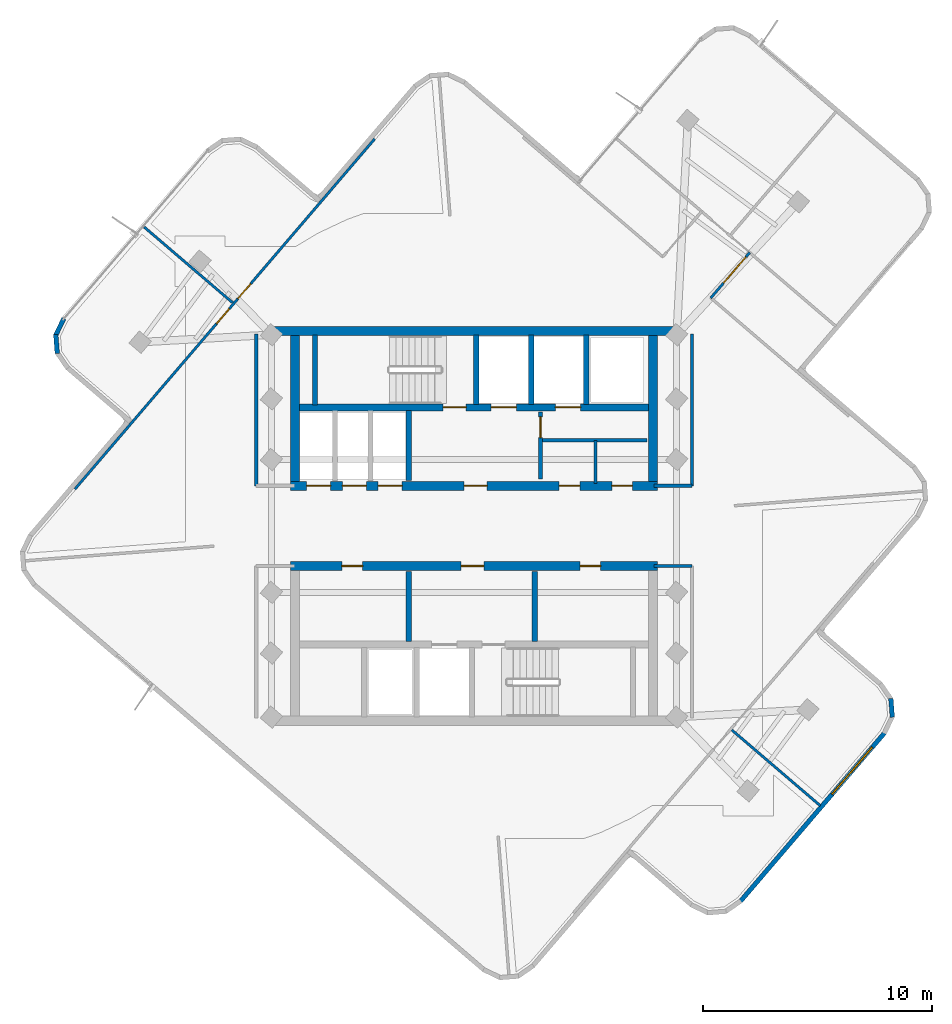
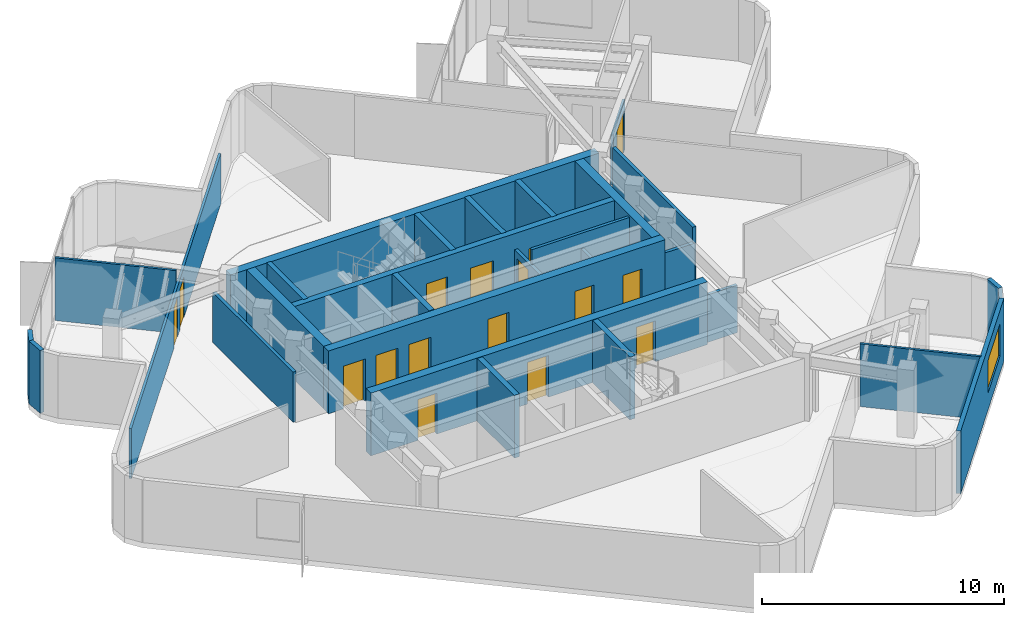
# One storey, part 6 of 10: 28 walls, 16 doors, 1 window, 17 openings.
"""IFC4 building model written with IfcOpenShell, lengths in metres."""

from ifc_helpers import new_model, si_unit, direction, frame, frame_2d, origin, place, context, subcontext, project, spatial, rectangle, extrude, material, layer, layer_set, type_object, element, fill, save


model = new_model("IFC4")

# Units and contexts
model_context = context("Model", 3, precision=1e-05, world=origin(), true_north=direction((0.0, 1.0)))
body_context = subcontext(model_context, "Body", "Model", "MODEL_VIEW")
ifc_project = project(units=[si_unit("LENGTHUNIT", "METRE"), si_unit("AREAUNIT", "SQUARE_METRE"), si_unit("VOLUMEUNIT", "CUBIC_METRE"), si_unit("PLANEANGLEUNIT", "RADIAN"), si_unit("MASSUNIT", "GRAM", prefix="KILO")], contexts=[model_context])

# Site, building, storey
site_placement = place(None, origin())
site = spatial("IfcSite", under=ifc_project, at=site_placement, CompositionType="ELEMENT")
building_placement = place(site_placement, origin())
building = spatial("IfcBuilding", under=site, at=building_placement, Name="Solmarez Civic Tower", CompositionType="ELEMENT")
storey_placement = place(building_placement, frame((0.0, 0.0, 254.340087890625)))
storey = spatial("IfcBuildingStorey", under=building, at=storey_placement, Name="L68", CompositionType="ELEMENT", Elevation=254.340087890625)

# Wall
ifc_material_1 = material(Name="Concrete C50/60", Category="concrete")
ifc_layer_1 = layer(ifc_material_1, 0.39990234375)
ifc_layer_set_1 = layer_set([ifc_layer_1], Name="Concrete C50/60")
wall_type_1 = type_object("IfcWallType", Name="WALL-CORE-400", PredefinedType="SHEAR", material=ifc_layer_set_1)
wall_1_placement = place(storey_placement, frame((-8.780029296875, 8.510009765625, 0.0), z_axis=(0.0, 0.0, 1.0), x_axis=(1.0, 0.0, 0.0)))
element("IfcWall", 1, at=wall_1_placement, inside=storey, type_object=wall_type_1, Name="L68 Split-Core Structural Wall NCW-N-L68", PredefinedType="SHEAR", context=body_context, shape_type="SweptSolid", body=[
    extrude(rectangle(XDim=17.56005859375, YDim=0.39990234375, at=frame_2d((8.780029296875, 0.0))), origin(), (0.0, 0.0, 1.0), 3.159912109375),
])

# Wall, openings, doors
wall_2_placement = place(storey_placement, frame((8.02001953125, 1.75, 0.0), z_axis=(0.0, 0.0, 1.0), x_axis=(-1.0, 0.0, 0.0)))
wall_2 = element("IfcWall", 2, at=wall_2_placement, inside=storey, type_object=wall_type_1, Name="L68 Split-Core Structural Wall NCW-S-L68", PredefinedType="SHEAR", context=body_context, shape_type="SweptSolid", body=[
    extrude(rectangle(XDim=16.0400390625, YDim=0.39990234375, at=frame_2d((8.02001953125, 0.0))), origin(), (0.0, 0.0, 1.0), 3.159912109375),
])
opening_1_placement = place(wall_2_placement, frame((7.449951171875, 0.0, 0.0)))
opening_1 = element("IfcOpeningElement", 3, at=opening_1_placement, cuts=wall_2, Name="Opening D-04", PredefinedType="OPENING", context=body_context, shape_type="SweptSolid", body=[
    extrude(rectangle(XDim=1.0, YDim=2.10009765625, at=frame_2d((0.5, 1.050048828125))), frame((0.0, 0.2099609375, 0.0), z_axis=(0.0, -1.0, 0.0), x_axis=(1.0, 0.0, 0.0)), (0.0, 0.0, 1.0), 0.419921875),
])
opening_2_placement = place(wall_2_placement, frame((14.284912109375, 0.0, 0.0)))
opening_2 = element("IfcOpeningElement", 4, at=opening_2_placement, cuts=wall_2, Name="Opening LD-01", PredefinedType="OPENING", context=body_context, shape_type="SweptSolid", body=[
    extrude(rectangle(XDim=1.050048828125, YDim=2.14990234375, at=frame_2d((0.52490234375, 1.074951171875))), frame((0.0, 0.2099609375, 0.0), z_axis=(0.0, -1.0, 0.0), x_axis=(1.0, 0.0, 0.0)), (0.0, 0.0, 1.0), 0.419921875),
])
opening_3_placement = place(wall_2_placement, frame((12.72509765625, 0.0, 0.0)))
opening_3 = element("IfcOpeningElement", 5, at=opening_3_placement, cuts=wall_2, Name="Opening LD-01", PredefinedType="OPENING", context=body_context, shape_type="SweptSolid", body=[
    extrude(rectangle(XDim=1.050048828125, YDim=2.14990234375, at=frame_2d((0.52490234375, 1.074951171875))), frame((0.0, 0.2099609375, 0.0), z_axis=(0.0, -1.0, 0.0), x_axis=(1.0, 0.0, 0.0)), (0.0, 0.0, 1.0), 0.419921875),
])
opening_4_placement = place(wall_2_placement, frame((11.1650390625, 0.0, 0.0)))
opening_4 = element("IfcOpeningElement", 6, at=opening_4_placement, cuts=wall_2, Name="Opening LD-01", PredefinedType="OPENING", context=body_context, shape_type="SweptSolid", body=[
    extrude(rectangle(XDim=1.050048828125, YDim=2.14990234375, at=frame_2d((0.52490234375, 1.074951171875))), frame((0.0, 0.2099609375, 0.0), z_axis=(0.0, -1.0, 0.0), x_axis=(1.0, 0.0, 0.0)), (0.0, 0.0, 1.0), 0.419921875),
])
opening_5_placement = place(wall_2_placement, frame((3.39990234375, 0.0, 0.0)))
opening_5 = element("IfcOpeningElement", 7, at=opening_5_placement, cuts=wall_2, Name="Opening D-09", PredefinedType="OPENING", context=body_context, shape_type="SweptSolid", body=[
    extrude(rectangle(XDim=0.89990234375, YDim=2.06005859375, at=frame_2d((0.449951171875, 1.030029296875))), frame((0.0, 0.2099609375, 0.0), z_axis=(0.0, -1.0, 0.0), x_axis=(1.0, 0.0, 0.0)), (0.0, 0.0, 1.0), 0.419921875),
])
opening_6_placement = place(wall_2_placement, frame((1.10009765625, 0.0, 0.0)))
opening_6 = element("IfcOpeningElement", 8, at=opening_6_placement, cuts=wall_2, Name="Opening D-09", PredefinedType="OPENING", context=body_context, shape_type="SweptSolid", body=[
    extrude(rectangle(XDim=0.89990234375, YDim=2.06005859375, at=frame_2d((0.449951171875, 1.030029296875))), frame((0.0, 0.2099609375, 0.0), z_axis=(0.0, -1.0, 0.0), x_axis=(1.0, 0.0, 0.0)), (0.0, 0.0, 1.0), 0.419921875),
])
ifc_material_2 = material(Name="Steel-Faced Acoustic Fire Door", Category="steel")
door_type_1 = type_object("IfcDoorType", Name="DOOR-FD60-1000", OperationType="NOTDEFINED", PredefinedType="DOOR", material=ifc_material_2)
door_1_placement = place(opening_1_placement, origin())
door_1 = element("IfcDoor", 9, at=door_1_placement, inside=storey, type_object=door_type_1, Name="L68 North Firefighting Lobby Door", OperationType="SINGLE_SWING_LEFT", OverallHeight=2.10009765625, OverallWidth=1.0, PredefinedType="DOOR", context=body_context, shape_type="SweptSolid", body=[
    extrude(rectangle(XDim=1.0, YDim=2.10009765625, at=frame_2d((0.5, 1.050048828125))), frame((0.0, 0.02490234375, 0.0), z_axis=(0.0, -1.0, 0.0), x_axis=(1.0, 0.0, 0.0)), (0.0, 0.0, 1.0), 0.050048828125),
])
fill(opening_1, door_1)
ifc_material_3 = material(Name="Fire-Rated Service Core Door", Category="wood")
door_type_2 = type_object("IfcDoorType", Name="DOOR-FD60-900", OperationType="NOTDEFINED", PredefinedType="DOOR", material=ifc_material_3)
door_2_placement = place(opening_5_placement, origin())
door_2 = element("IfcDoor", 10, at=door_2_placement, inside=storey, type_object=door_type_2, Name="L68 Core WC Door", OperationType="SINGLE_SWING_LEFT", OverallHeight=2.06005859375, OverallWidth=0.89990234375, PredefinedType="DOOR", context=body_context, shape_type="SweptSolid", body=[
    extrude(rectangle(XDim=0.89990234375, YDim=2.06005859375, at=frame_2d((0.449951171875, 1.030029296875))), frame((0.0, 0.02490234375, 0.0), z_axis=(0.0, -1.0, 0.0), x_axis=(1.0, 0.0, 0.0)), (0.0, 0.0, 1.0), 0.050048828125),
])
fill(opening_5, door_2)
door_3_placement = place(opening_6_placement, origin())
door_3 = element("IfcDoor", 11, at=door_3_placement, inside=storey, type_object=door_type_2, Name="L68 Core CL Door", OperationType="SINGLE_SWING_RIGHT", OverallHeight=2.06005859375, OverallWidth=0.89990234375, PredefinedType="DOOR", context=body_context, shape_type="SweptSolid", body=[
    extrude(rectangle(XDim=0.89990234375, YDim=2.06005859375, at=frame_2d((0.449951171875, 1.030029296875))), frame((0.0, 0.02490234375, 0.0), z_axis=(0.0, -1.0, 0.0), x_axis=(1.0, 0.0, 0.0)), (0.0, 0.0, 1.0), 0.050048828125),
])
fill(opening_6, door_3)
ifc_material_4 = material(Name="Bronze Passenger Lift Landing Sliding Door", Category="aluminium")
door_type_3 = type_object("IfcDoorType", Name="DOOR-LD-PAX-1050", OperationType="DOUBLE_DOOR_SLIDING", PredefinedType="DOOR", material=ifc_material_4)
door_4_placement = place(opening_2_placement, origin())
door_4 = element("IfcDoor", 12, at=door_4_placement, inside=storey, type_object=door_type_3, Name="L68 High-Rise Lift Landing Door PL-H1", OperationType="DOUBLE_DOOR_SLIDING", OverallHeight=2.14990234375, OverallWidth=1.050048828125, PredefinedType="DOOR", context=body_context, shape_type="SweptSolid", body=[
    extrude(rectangle(XDim=1.050048828125, YDim=2.14990234375, at=frame_2d((0.52490234375, 1.074951171875))), frame((0.0, 0.02490234375, 0.0), z_axis=(0.0, -1.0, 0.0), x_axis=(1.0, 0.0, 0.0)), (0.0, 0.0, 1.0), 0.050048828125),
])
fill(opening_2, door_4)
door_5_placement = place(opening_3_placement, origin())
door_5 = element("IfcDoor", 13, at=door_5_placement, inside=storey, type_object=door_type_3, Name="L68 High-Rise Lift Landing Door PL-H2", OperationType="DOUBLE_DOOR_SLIDING", OverallHeight=2.14990234375, OverallWidth=1.050048828125, PredefinedType="DOOR", context=body_context, shape_type="SweptSolid", body=[
    extrude(rectangle(XDim=1.050048828125, YDim=2.14990234375, at=frame_2d((0.52490234375, 1.074951171875))), frame((0.0, 0.02490234375, 0.0), z_axis=(0.0, -1.0, 0.0), x_axis=(1.0, 0.0, 0.0)), (0.0, 0.0, 1.0), 0.050048828125),
])
fill(opening_3, door_5)
door_6_placement = place(opening_4_placement, origin())
door_6 = element("IfcDoor", 14, at=door_6_placement, inside=storey, type_object=door_type_3, Name="L68 High-Rise Lift Landing Door PL-H3", OperationType="DOUBLE_DOOR_SLIDING", OverallHeight=2.14990234375, OverallWidth=1.050048828125, PredefinedType="DOOR", context=body_context, shape_type="SweptSolid", body=[
    extrude(rectangle(XDim=1.050048828125, YDim=2.14990234375, at=frame_2d((0.52490234375, 1.074951171875))), frame((0.0, 0.02490234375, 0.0), z_axis=(0.0, -1.0, 0.0), x_axis=(1.0, 0.0, 0.0)), (0.0, 0.0, 1.0), 0.050048828125),
])
fill(opening_4, door_6)

# Walls
for number, where, z_axis, x_axis, name in (
    (15, (-7.820068359375, 1.949951171875, 0.0), (0.0, 0.0, 1.0), (0.0, 1.0, 0.0), "L68 Split-Core Structural Wall NCW-W-L68"),
    (16, (7.820068359375, 8.31005859375, 0.0), (0.0, 0.0, 1.0), (0.0, -1.0, 0.0), "L68 Split-Core Structural Wall NCW-E-L68"),
):
    element("IfcWall", number, at=place(storey_placement, frame(where, z_axis=z_axis, x_axis=x_axis)), inside=storey, type_object=wall_type_1, Name=name, PredefinedType="SHEAR", context=body_context, shape_type="SweptSolid", body=[
        extrude(rectangle(XDim=6.360107421875, YDim=0.39990234375, at=frame_2d((3.18017578125, 0.0))), origin(), (0.0, 0.0, 1.0), 3.159912109375),
    ])

# Wall, openings, doors
wall_3_placement = place(storey_placement, frame((-8.02001953125, -1.75, 0.0), z_axis=(0.0, 0.0, 1.0), x_axis=(1.0, 0.0, 0.0)))
wall_3 = element("IfcWall", 17, at=wall_3_placement, inside=storey, type_object=wall_type_1, Name="L68 Split-Core Structural Wall SCW-N-L68", PredefinedType="SHEAR", context=body_context, shape_type="SweptSolid", body=[
    extrude(rectangle(XDim=16.0400390625, YDim=0.39990234375, at=frame_2d((8.02001953125, 0.0))), origin(), (0.0, 0.0, 1.0), 3.159912109375),
])
opening_7_placement = place(wall_3_placement, frame((7.449951171875, 0.0, 0.0)))
opening_7 = element("IfcOpeningElement", 18, at=opening_7_placement, cuts=wall_3, Name="Opening D-04", PredefinedType="OPENING", context=body_context, shape_type="SweptSolid", body=[
    extrude(rectangle(XDim=1.0, YDim=2.10009765625, at=frame_2d((0.5, 1.050048828125))), frame((0.0, 0.2099609375, 0.0), z_axis=(0.0, -1.0, 0.0), x_axis=(1.0, 0.0, 0.0)), (0.0, 0.0, 1.0), 0.419921875),
])
opening_8_placement = place(wall_3_placement, frame((12.64990234375, 0.0, 0.0)))
opening_8 = element("IfcOpeningElement", 19, at=opening_8_placement, cuts=wall_3, Name="Opening D-09", PredefinedType="OPENING", context=body_context, shape_type="SweptSolid", body=[
    extrude(rectangle(XDim=0.89990234375, YDim=2.06005859375, at=frame_2d((0.449951171875, 1.030029296875))), frame((0.0, 0.2099609375, 0.0), z_axis=(0.0, -1.0, 0.0), x_axis=(1.0, 0.0, 0.0)), (0.0, 0.0, 1.0), 0.419921875),
])
opening_9_placement = place(wall_3_placement, frame((2.25, 0.0, 0.0)))
opening_9 = element("IfcOpeningElement", 20, at=opening_9_placement, cuts=wall_3, Name="Opening D-09", PredefinedType="OPENING", context=body_context, shape_type="SweptSolid", body=[
    extrude(rectangle(XDim=0.89990234375, YDim=2.06005859375, at=frame_2d((0.449951171875, 1.030029296875))), frame((0.0, 0.2099609375, 0.0), z_axis=(0.0, -1.0, 0.0), x_axis=(1.0, 0.0, 0.0)), (0.0, 0.0, 1.0), 0.419921875),
])
door_7_placement = place(opening_7_placement, origin())
door_7 = element("IfcDoor", 21, at=door_7_placement, inside=storey, type_object=door_type_1, Name="L68 South Firefighting Lobby Door", OperationType="SINGLE_SWING_RIGHT", OverallHeight=2.10009765625, OverallWidth=1.0, PredefinedType="DOOR", context=body_context, shape_type="SweptSolid", body=[
    extrude(rectangle(XDim=1.0, YDim=2.10009765625, at=frame_2d((0.5, 1.050048828125))), frame((0.0, 0.02490234375, 0.0), z_axis=(0.0, -1.0, 0.0), x_axis=(1.0, 0.0, 0.0)), (0.0, 0.0, 1.0), 0.050048828125),
])
fill(opening_7, door_7)
door_8_placement = place(opening_8_placement, origin())
door_8 = element("IfcDoor", 22, at=door_8_placement, inside=storey, type_object=door_type_2, Name="L68 Freed Hoistway Mailroom Door", OperationType="SINGLE_SWING_LEFT", OverallHeight=2.06005859375, OverallWidth=0.89990234375, PredefinedType="DOOR", context=body_context, shape_type="SweptSolid", body=[
    extrude(rectangle(XDim=0.89990234375, YDim=2.06005859375, at=frame_2d((0.449951171875, 1.030029296875))), frame((0.0, 0.02490234375, 0.0), z_axis=(0.0, -1.0, 0.0), x_axis=(1.0, 0.0, 0.0)), (0.0, 0.0, 1.0), 0.050048828125),
])
fill(opening_8, door_8)
door_9_placement = place(opening_9_placement, origin())
door_9 = element("IfcDoor", 23, at=door_9_placement, inside=storey, type_object=door_type_2, Name="L68 Delegation Tea Pantry Door", OperationType="SINGLE_SWING_RIGHT", OverallHeight=2.06005859375, OverallWidth=0.89990234375, PredefinedType="DOOR", context=body_context, shape_type="SweptSolid", body=[
    extrude(rectangle(XDim=0.89990234375, YDim=2.06005859375, at=frame_2d((0.449951171875, 1.030029296875))), frame((0.0, 0.02490234375, 0.0), z_axis=(0.0, -1.0, 0.0), x_axis=(1.0, 0.0, 0.0)), (0.0, 0.0, 1.0), 0.050048828125),
])
fill(opening_9, door_9)

# Walls
ifc_material_5 = material(Name="Precast concrete C40/50", Category="concrete")
ifc_layer_2 = layer(ifc_material_5, 0.199951171875)
ifc_layer_set_2 = layer_set([ifc_layer_2], Name="Precast concrete C40/50")
wall_type_2 = type_object("IfcWallType", Name="WALL-EXT-200", PredefinedType="SOLIDWALL", material=ifc_layer_set_2)
wall_4_placement = place(storey_placement, frame((-18.205078125, 7.534912109375, 0.0), z_axis=(0.0, 0.0, 1.0), x_axis=(-0.077579558977, 0.996986164412, 0.0)))
element("IfcWall", 24, at=wall_4_placement, inside=storey, type_object=wall_type_2, Name="L68 Exterior Precast Wall 15", PredefinedType="SOLIDWALL", context=body_context, shape_type="SweptSolid", body=[
    extrude(rectangle(XDim=0.824462890625, YDim=0.199951171875, at=frame_2d((0.412109375, 0.0))), origin(), (0.0, 0.0, 1.0), 3.159912109375),
])
wall_5_placement = place(storey_placement, frame((-18.278076171875, 8.30908203125, 0.0), z_axis=(0.0, 0.0, 1.0), x_axis=(0.431548166297, 0.902089895834, 0.0)))
element("IfcWall", 25, at=wall_5_placement, inside=storey, type_object=wall_type_2, Name="L68 Exterior Precast Wall 16", PredefinedType="SOLIDWALL", context=body_context, shape_type="SweptSolid", body=[
    extrude(rectangle(XDim=0.8388671875, YDim=0.199951171875, at=frame_2d((0.41943359375, 0.0))), origin(), (0.0, 0.0, 1.0), 3.159912109375),
])
wall_6_placement = place(storey_placement, frame((18.205078125, -7.534912109375, 0.0), z_axis=(0.0, 0.0, 1.0), x_axis=(0.077579558977, -0.996986164412, 0.0)))
element("IfcWall", 26, at=wall_6_placement, inside=storey, type_object=wall_type_2, Name="L68 Exterior Precast Wall 51", PredefinedType="SOLIDWALL", context=body_context, shape_type="SweptSolid", body=[
    extrude(rectangle(XDim=0.824462890625, YDim=0.199951171875, at=frame_2d((0.412109375, 0.0))), origin(), (0.0, 0.0, 1.0), 3.159912109375),
])

# Wall, opening, window
wall_7_placement = place(storey_placement, frame((17.943115234375, -9.02392578125, 0.0), z_axis=(0.0, 0.0, 1.0), x_axis=(-0.650218389303, -0.759747356831, 0.0)))
wall_7 = element("IfcWall", 27, at=wall_7_placement, inside=storey, type_object=wall_type_2, Name="L68 Exterior Precast Wall 53", PredefinedType="SOLIDWALL", context=body_context, shape_type="SweptSolid", body=[
    extrude(rectangle(XDim=9.722900390625, YDim=0.199951171875, at=frame_2d((4.861328125, 0.0))), origin(), (0.0, 0.0, 1.0), 3.159912109375),
])
opening_10_placement = place(wall_7_placement, frame((0.85009765625, 0.0, 0.85009765625)))
opening_10 = element("IfcOpeningElement", 28, at=opening_10_placement, cuts=wall_7, Name="Opening W-09", PredefinedType="OPENING", context=body_context, shape_type="SweptSolid", body=[
    extrude(rectangle(XDim=2.699951171875, YDim=1.64990234375, at=frame_2d((1.35009765625, 0.824951171875))), frame((0.0, 0.10986328125, 0.0), z_axis=(0.0, -1.0, 0.0), x_axis=(1.0, 0.0, 0.0)), (0.0, 0.0, 1.0), 0.219970703125),
])
ifc_material_6 = material(Name="Solar Control Bronze-Tinted Insulating Glass", Category="glass")
window_type = type_object("IfcWindowType", Name="WIN-2700X1650", PartitioningType="SINGLE_PANEL", PredefinedType="WINDOW", material=ifc_material_6)
window_placement = place(opening_10_placement, origin())
window = element("IfcWindow", 29, at=window_placement, inside=storey, type_object=window_type, Name="L68 Exterior Facade Window 53", OverallHeight=1.64990234375, OverallWidth=2.699951171875, PartitioningType="SINGLE_PANEL", PredefinedType="WINDOW", context=body_context, shape_type="SweptSolid", body=[
    extrude(rectangle(XDim=2.699951171875, YDim=1.64990234375, at=frame_2d((1.35009765625, 0.824951171875))), frame((0.0, 0.030029296875, 0.0), z_axis=(0.0, -1.0, 0.0), x_axis=(1.0, 0.0, 0.0)), (0.0, 0.0, 1.0), 0.06005859375),
])
fill(opening_10, window)

# Walls
ifc_material_7 = material(Name="Gypsum Board Acoustic Steel-Stud Partition", Category="steel")
ifc_layer_3 = layer(ifc_material_7, 0.14990234375)
ifc_layer_set_3 = layer_set([ifc_layer_3], Name="Gypsum Board Acoustic Steel-Stud Partition")
wall_type_3 = type_object("IfcWallType", Name="WALL-INT-FIRE-150", PredefinedType="PARTITIONING", material=ifc_layer_set_3)
wall_8_placement = place(storey_placement, frame((-9.52001953125, 1.75, 0.0), z_axis=(0.0, 0.0, 1.0), x_axis=(0.0, 1.0, 0.0)))
element("IfcWall", 30, at=wall_8_placement, inside=storey, type_object=wall_type_3, Name="L68 Interior Partition CHW-L68-WN1", PredefinedType="PARTITIONING", context=body_context, shape_type="SweptSolid", body=[
    extrude(rectangle(XDim=6.6298828125, YDim=0.14990234375, at=frame_2d((3.31494140625, 0.0))), origin(), (0.0, 0.0, 1.0), 2.530029296875),
])
wall_9_placement = place(storey_placement, frame((9.52001953125, 1.75, 0.0), z_axis=(0.0, 0.0, 1.0), x_axis=(0.0, 1.0, 0.0)))
element("IfcWall", 31, at=wall_9_placement, inside=storey, type_object=wall_type_3, Name="L68 Interior Partition CHW-L68-EN1", PredefinedType="PARTITIONING", context=body_context, shape_type="SweptSolid", body=[
    extrude(rectangle(XDim=6.6298828125, YDim=0.14990234375, at=frame_2d((3.31494140625, 0.0))), origin(), (0.0, 0.0, 1.0), 3.159912109375),
])
for number, where, z_axis, x_axis, name in (
    (32, (7.85009765625, 1.75, 0.0), (0.0, 0.0, 1.0), (1.0, 0.0, 0.0), "L68 Interior Partition CHW-L68-EN3"),
    (33, (7.85009765625, -1.75, 0.0), (0.0, 0.0, 1.0), (1.0, 0.0, 0.0), "L68 Interior Partition CHW-L68-ES3"),
):
    element("IfcWall", number, at=place(storey_placement, frame(where, z_axis=z_axis, x_axis=x_axis)), inside=storey, type_object=wall_type_3, Name=name, PredefinedType="PARTITIONING", context=body_context, shape_type="SweptSolid", body=[
        extrude(rectangle(XDim=1.669921875, YDim=0.14990234375, at=frame_2d((0.8349609375, 0.0))), origin(), (0.0, 0.0, 1.0), 2.389892578125),
    ])

# Wall, opening, door
ifc_layer_4 = layer(ifc_material_7, 0.110107421875)
ifc_layer_set_4 = layer_set([ifc_layer_4], Name="Gypsum Board Acoustic Steel-Stud Partition")
wall_type_4 = type_object("IfcWallType", Name="WALL-INT-PART-110", PredefinedType="PARTITIONING", material=ifc_layer_set_4)
wall_10_placement = place(storey_placement, frame((10.340087890625, 9.958984375, 0.0), z_axis=(0.0, 0.0, 1.0), x_axis=(0.650429323352, 0.759566781346, 0.0)))
wall_10 = element("IfcWall", 34, at=wall_10_placement, inside=storey, type_object=wall_type_4, Name="L68 Interior Partition PT-L68-E-SR", PredefinedType="PARTITIONING", context=body_context, shape_type="SweptSolid", body=[
    extrude(rectangle(XDim=2.610595703125, YDim=0.110107421875, at=frame_2d((1.30517578125, 0.0))), origin(), (0.0, 0.0, 1.0), 2.530029296875),
])
opening_11_placement = place(wall_10_placement, frame((0.85498046875, 0.0, 0.0)))
opening_11 = element("IfcOpeningElement", 35, at=opening_11_placement, cuts=wall_10, Name="Opening D-16", PredefinedType="OPENING", context=body_context, shape_type="SweptSolid", body=[
    extrude(rectangle(XDim=1.5, YDim=2.1201171875, at=frame_2d((0.75, 1.06005859375))), frame((0.0, 0.06494140625, 0.0), z_axis=(0.0, -1.0, 0.0), x_axis=(1.0, 0.0, 0.0)), (0.0, 0.0, 1.0), 0.130126953125),
])
ifc_material_8 = material(Name="Diplomatic Protocol Reception Door", Category="wood")
door_type_4 = type_object("IfcDoorType", Name="DOOR-INT-1500", OperationType="NOTDEFINED", PredefinedType="DOOR", material=ifc_material_8)
door_10_placement = place(opening_11_placement, origin())
door_10 = element("IfcDoor", 36, at=door_10_placement, inside=storey, type_object=door_type_4, Name="L68 Breakout Huddle Room East Door", OperationType="SINGLE_SWING_RIGHT", OverallHeight=2.1201171875, OverallWidth=1.5, PredefinedType="DOOR", context=body_context, shape_type="SweptSolid", body=[
    extrude(rectangle(XDim=1.5, YDim=2.1201171875, at=frame_2d((0.75, 1.06005859375))), frame((0.0, 0.02490234375, 0.0), z_axis=(0.0, -1.0, 0.0), x_axis=(1.0, 0.0, 0.0)), (0.0, 0.0, 1.0), 0.050048828125),
])
fill(opening_11, door_10)

# Wall
wall_11_placement = place(storey_placement, frame((-10.5439453125, 9.7490234375, 0.0), z_axis=(0.0, 0.0, 1.0), x_axis=(-0.759849347966, 0.650099198889, 0.0)))
element("IfcWall", 37, at=wall_11_placement, inside=storey, type_object=wall_type_4, Name="L68 Interior Partition PT-L68-N-ALM", PredefinedType="PARTITIONING", context=body_context, shape_type="SweptSolid", body=[
    extrude(rectangle(XDim=5.085205078125, YDim=0.110107421875, at=frame_2d((2.54248046875, 0.0))), origin(), (0.0, 0.0, 1.0), 3.159912109375),
])

# Wall, openings, doors
wall_12_placement = place(storey_placement, frame((-17.43701171875, 1.60400390625, 0.0), z_axis=(0.0, 0.0, 1.0), x_axis=(0.650265099033, 0.759707378522, 0.0)))
wall_12 = element("IfcWall", 38, at=wall_12_placement, inside=storey, type_object=wall_type_4, Name="L68 Interior Partition PT-L68-N-ENT", PredefinedType="PARTITIONING", context=body_context, shape_type="SweptSolid", body=[
    extrude(rectangle(XDim=20.139404296875, YDim=0.110107421875, at=frame_2d((10.06982421875, 0.0))), origin(), (0.0, 0.0, 1.0), 2.530029296875),
])
opening_12_placement = place(wall_12_placement, frame((10.958984375, 0.0, 0.0)))
opening_12 = element("IfcOpeningElement", 39, at=opening_12_placement, cuts=wall_12, Name="Opening D-14", PredefinedType="OPENING", context=body_context, shape_type="SweptSolid", body=[
    extrude(rectangle(XDim=0.860107421875, YDim=2.0400390625, at=frame_2d((0.43017578125, 1.02001953125))), frame((0.0, 0.06494140625, 0.0), z_axis=(0.0, -1.0, 0.0), x_axis=(1.0, 0.0, 0.0)), (0.0, 0.0, 1.0), 0.130126953125),
])
opening_13_placement = place(wall_12_placement, frame((9.51904296875, 0.0, 0.0)))
opening_13 = element("IfcOpeningElement", 40, at=opening_13_placement, cuts=wall_12, Name="Opening D-14", PredefinedType="OPENING", context=body_context, shape_type="SweptSolid", body=[
    extrude(rectangle(XDim=0.860107421875, YDim=2.0400390625, at=frame_2d((0.43017578125, 1.02001953125))), frame((0.0, 0.06494140625, 0.0), z_axis=(0.0, -1.0, 0.0), x_axis=(1.0, 0.0, 0.0)), (0.0, 0.0, 1.0), 0.130126953125),
])
ifc_material_9 = material(Name="Timber Storage and Pantry Door", Category="wood")
door_type_5 = type_object("IfcDoorType", Name="DOOR-INT-850", OperationType="NOTDEFINED", PredefinedType="DOOR", material=ifc_material_9)
door_11_placement = place(opening_12_placement, origin())
door_11 = element("IfcDoor", 41, at=door_11_placement, inside=storey, type_object=door_type_5, Name="L68 Municipal Mailroom Second North Door", OperationType="SINGLE_SWING_RIGHT", OverallHeight=2.0400390625, OverallWidth=0.860107421875, PredefinedType="DOOR", context=body_context, shape_type="SweptSolid", body=[
    extrude(rectangle(XDim=0.860107421875, YDim=2.0400390625, at=frame_2d((0.43017578125, 1.02001953125))), frame((0.0, 0.02490234375, 0.0), z_axis=(0.0, -1.0, 0.0), x_axis=(1.0, 0.0, 0.0)), (0.0, 0.0, 1.0), 0.050048828125),
])
fill(opening_12, door_11)
door_12_placement = place(opening_13_placement, origin())
door_12 = element("IfcDoor", 42, at=door_12_placement, inside=storey, type_object=door_type_5, Name="L68 Breakout Huddle Room First North Door", OperationType="SINGLE_SWING_LEFT", OverallHeight=2.0400390625, OverallWidth=0.860107421875, PredefinedType="DOOR", context=body_context, shape_type="SweptSolid", body=[
    extrude(rectangle(XDim=0.860107421875, YDim=2.0400390625, at=frame_2d((0.43017578125, 1.02001953125))), frame((0.0, 0.02490234375, 0.0), z_axis=(0.0, -1.0, 0.0), x_axis=(1.0, 0.0, 0.0)), (0.0, 0.0, 1.0), 0.050048828125),
])
fill(opening_13, door_12)

# Wall
wall_13_placement = place(storey_placement, frame((11.260009765625, -8.9130859375, 0.0), z_axis=(0.0, 0.0, 1.0), x_axis=(0.759673292451, -0.650304919816, 0.0)))
element("IfcWall", 43, at=wall_13_placement, inside=storey, type_object=wall_type_4, Name="L68 Interior Partition PT-L68-S-ALM", PredefinedType="PARTITIONING", context=body_context, shape_type="SweptSolid", body=[
    extrude(rectangle(XDim=5.085205078125, YDim=0.110107421875, at=frame_2d((2.54248046875, 0.0))), origin(), (0.0, 0.0, 1.0), 3.159912109375),
])

# Wall, opening, door
ifc_layer_5 = layer(ifc_material_7, 0.159912109375)
ifc_layer_set_5 = layer_set([ifc_layer_5], Name="Gypsum Board Acoustic Steel-Stud Partition")
wall_type_5 = type_object("IfcWallType", Name="WALL-INT-SHAFT-160", PredefinedType="PARTITIONING", material=ifc_layer_set_5)
wall_14_placement = place(storey_placement, frame((2.89990234375, 2.0400390625, 0.0), z_axis=(0.0, 0.0, 1.0), x_axis=(0.0, 1.0, 0.0)))
wall_14 = element("IfcWall", 44, at=wall_14_placement, inside=storey, type_object=wall_type_5, Name="L68 Interior Partition SHW-NL2-L68", PredefinedType="PARTITIONING", context=body_context, shape_type="SweptSolid", body=[
    extrude(rectangle(XDim=2.93994140625, YDim=0.159912109375, at=frame_2d((1.469970703125, 0.0))), origin(), (0.0, 0.0, 1.0), 2.389892578125),
])
opening_14_placement = place(wall_14_placement, frame((1.820068359375, 0.0, 0.0)))
opening_14 = element("IfcOpeningElement", 45, at=opening_14_placement, cuts=wall_14, Name="Opening D-09", PredefinedType="OPENING", context=body_context, shape_type="SweptSolid", body=[
    extrude(rectangle(XDim=0.89990234375, YDim=2.06005859375, at=frame_2d((0.449951171875, 1.030029296875))), frame((0.0, 0.08984375, 0.0), z_axis=(0.0, -1.0, 0.0), x_axis=(1.0, 0.0, 0.0)), (0.0, 0.0, 1.0), 0.179931640625),
])
door_13_placement = place(opening_14_placement, origin())
door_13 = element("IfcDoor", 46, at=door_13_placement, inside=storey, type_object=door_type_2, Name="L68 Service Lift Lobby Door", OperationType="SINGLE_SWING_LEFT", OverallHeight=2.06005859375, OverallWidth=0.89990234375, PredefinedType="DOOR", context=body_context, shape_type="SweptSolid", body=[
    extrude(rectangle(XDim=0.89990234375, YDim=2.06005859375, at=frame_2d((0.449951171875, 1.030029296875))), frame((0.0, 0.02490234375, 0.0), z_axis=(0.0, -1.0, 0.0), x_axis=(1.0, 0.0, 0.0)), (0.0, 0.0, 1.0), 0.050048828125),
])
fill(opening_14, door_13)

# Walls
ifc_layer_6 = layer(ifc_material_7, 0.137939453125)
ifc_layer_set_6 = layer_set([ifc_layer_6], Name="Gypsum Board Acoustic Steel-Stud Partition")
wall_type_6 = type_object("IfcWallType", Name="WALL-INT-WET-140", PredefinedType="PARTITIONING", material=ifc_layer_set_6)
wall_15_placement = place(storey_placement, frame((2.89990234375, 3.739990234375, 0.0), z_axis=(0.0, 0.0, 1.0), x_axis=(1.0, 0.0, 0.0)))
element("IfcWall", 47, at=wall_15_placement, inside=storey, type_object=wall_type_6, Name="L68 Interior Partition SHW-SVH-L68", PredefinedType="PARTITIONING", context=body_context, shape_type="SweptSolid", body=[
    extrude(rectangle(XDim=4.650146484375, YDim=0.137939453125, at=frame_2d((2.3251953125, 0.0))), origin(), (0.0, 0.0, 1.0), 3.159912109375),
])
wall_16_placement = place(storey_placement, frame((5.300048828125, 1.85009765625, 0.0), z_axis=(0.0, 0.0, 1.0), x_axis=(0.0, 1.0, 0.0)))
element("IfcWall", 48, at=wall_16_placement, inside=storey, type_object=wall_type_6, Name="L68 Interior Partition PT-NCSV-L68", PredefinedType="PARTITIONING", context=body_context, shape_type="SweptSolid", body=[
    extrude(rectangle(XDim=1.889892578125, YDim=0.137939453125, at=frame_2d((0.94482421875, 0.0))), origin(), (0.0, 0.0, 1.0), 2.389892578125),
])

# Wall, openings, doors
ifc_layer_7 = layer(ifc_material_1, 0.300048828125)
ifc_layer_set_7 = layer_set([ifc_layer_7], Name="Concrete C50/60")
wall_type_7 = type_object("IfcWallType", Name="WALL-STR-300", PredefinedType="SOLIDWALL", material=ifc_layer_set_7)
wall_17_placement = place(storey_placement, frame((7.6201171875, 5.179931640625, 0.0), z_axis=(0.0, 0.0, 1.0), x_axis=(-1.0, 0.0, 0.0)))
wall_17 = element("IfcWall", 49, at=wall_17_placement, inside=storey, type_object=wall_type_7, Name="L68 Split-Core Structural Wall NCW-M-L68", PredefinedType="SOLIDWALL", context=body_context, shape_type="SweptSolid", body=[
    extrude(rectangle(XDim=15.240234375, YDim=0.300048828125, at=frame_2d((7.6201171875, 0.0))), origin(), (0.0, 0.0, 1.0), 3.159912109375),
])
opening_15_placement = place(wall_17_placement, frame((5.77001953125, 0.0, 0.0)))
opening_15 = element("IfcOpeningElement", 50, at=opening_15_placement, cuts=wall_17, Name="Opening LD-02", PredefinedType="OPENING", context=body_context, shape_type="SweptSolid", body=[
    extrude(rectangle(XDim=1.10009765625, YDim=2.14990234375, at=frame_2d((0.550048828125, 1.074951171875))), frame((0.0, 0.159912109375, 0.0), z_axis=(0.0, -1.0, 0.0), x_axis=(1.0, 0.0, 0.0)), (0.0, 0.0, 1.0), 0.320068359375),
])
opening_16_placement = place(wall_17_placement, frame((2.969970703125, 0.0, 0.0)))
opening_16 = element("IfcOpeningElement", 51, at=opening_16_placement, cuts=wall_17, Name="Opening LD-03", PredefinedType="OPENING", context=body_context, shape_type="SweptSolid", body=[
    extrude(rectangle(XDim=1.10009765625, YDim=2.14990234375, at=frame_2d((0.550048828125, 1.074951171875))), frame((0.0, 0.159912109375, 0.0), z_axis=(0.0, -1.0, 0.0), x_axis=(1.0, 0.0, 0.0)), (0.0, 0.0, 1.0), 0.320068359375),
])
opening_17_placement = place(wall_17_placement, frame((7.969970703125, 0.0, 0.0)))
opening_17 = element("IfcOpeningElement", 52, at=opening_17_placement, cuts=wall_17, Name="Opening D-05", PredefinedType="OPENING", context=body_context, shape_type="SweptSolid", body=[
    extrude(rectangle(XDim=1.0, YDim=2.10009765625, at=frame_2d((0.5, 1.050048828125))), frame((0.0, 0.159912109375, 0.0), z_axis=(0.0, -1.0, 0.0), x_axis=(1.0, 0.0, 0.0)), (0.0, 0.0, 1.0), 0.320068359375),
])
ifc_material_10 = material(Name="Fire-Rated Stairwell Exit Door", Category="wood")
door_type_6 = type_object("IfcDoorType", Name="DOOR-FD90-1000", OperationType="NOTDEFINED", PredefinedType="DOOR", material=ifc_material_10)
door_14_placement = place(opening_17_placement, origin())
door_14 = element("IfcDoor", 53, at=door_14_placement, inside=storey, type_object=door_type_6, Name="L68 North Exit Stair Door ST-1", OperationType="SINGLE_SWING_LEFT", OverallHeight=2.10009765625, OverallWidth=1.0, PredefinedType="DOOR", context=body_context, shape_type="SweptSolid", body=[
    extrude(rectangle(XDim=1.0, YDim=2.10009765625, at=frame_2d((0.5, 1.050048828125))), frame((0.0, 0.02490234375, 0.0), z_axis=(0.0, -1.0, 0.0), x_axis=(1.0, 0.0, 0.0)), (0.0, 0.0, 1.0), 0.050048828125),
])
fill(opening_17, door_14)
ifc_material_11 = material(Name="Stainless Firefighting Lift Landing Sliding Door", Category="aluminium")
door_type_7 = type_object("IfcDoorType", Name="DOOR-LD-FF-1100", OperationType="DOUBLE_DOOR_SLIDING", PredefinedType="DOOR", material=ifc_material_11)
door_15_placement = place(opening_15_placement, origin())
door_15 = element("IfcDoor", 54, at=door_15_placement, inside=storey, type_object=door_type_7, Name="L68 Firefighting Lift Landing Door FFL-1", OperationType="DOUBLE_DOOR_SLIDING", OverallHeight=2.14990234375, OverallWidth=1.10009765625, PredefinedType="DOOR", context=body_context, shape_type="SweptSolid", body=[
    extrude(rectangle(XDim=1.10009765625, YDim=2.14990234375, at=frame_2d((0.550048828125, 1.074951171875))), frame((0.0, 0.02490234375, 0.0), z_axis=(0.0, -1.0, 0.0), x_axis=(1.0, 0.0, 0.0)), (0.0, 0.0, 1.0), 0.050048828125),
])
fill(opening_15, door_15)
ifc_material_12 = material(Name="Stainless Stretcher Lift Landing Sliding Door", Category="aluminium")
door_type_8 = type_object("IfcDoorType", Name="DOOR-LD-SV-1100", OperationType="DOUBLE_DOOR_SLIDING", PredefinedType="DOOR", material=ifc_material_12)
door_16_placement = place(opening_16_placement, origin())
door_16 = element("IfcDoor", 55, at=door_16_placement, inside=storey, type_object=door_type_8, Name="L68 Service Stretcher Lift Landing Door SVL-1", OperationType="DOUBLE_DOOR_SLIDING", OverallHeight=2.14990234375, OverallWidth=1.10009765625, PredefinedType="DOOR", context=body_context, shape_type="SweptSolid", body=[
    extrude(rectangle(XDim=1.10009765625, YDim=2.14990234375, at=frame_2d((0.550048828125, 1.074951171875))), frame((0.0, 0.02490234375, 0.0), z_axis=(0.0, -1.0, 0.0), x_axis=(1.0, 0.0, 0.0)), (0.0, 0.0, 1.0), 0.050048828125),
])
fill(opening_16, door_16)

# Walls
wall_18_placement = place(storey_placement, frame((-6.949951171875, 5.280029296875, 0.0), z_axis=(0.0, 0.0, 1.0), x_axis=(0.0, 1.0, 0.0)))
element("IfcWall", 56, at=wall_18_placement, inside=storey, type_object=wall_type_7, Name="L68 Split-Core Structural Wall SHW-NW-L68", PredefinedType="SOLIDWALL", context=body_context, shape_type="SweptSolid", body=[
    extrude(rectangle(XDim=3.06005859375, YDim=0.219970703125, at=frame_2d((1.530029296875, 0.0))), origin(), (0.0, 0.0, 1.0), 3.159912109375),
])
for number, where, z_axis, x_axis, name in (
    (57, (0.10009765625, 5.300048828125, 0.0), (0.0, 0.0, 1.0), (0.0, 1.0, 0.0), "L68 Split-Core Structural Wall SHW-N1-L68"),
    (58, (2.5, 5.300048828125, 0.0), (0.0, 0.0, 1.0), (0.0, 1.0, 0.0), "L68 Split-Core Structural Wall SHW-N2-L68"),
    (59, (4.89990234375, 5.300048828125, 0.0), (0.0, 0.0, 1.0), (0.0, 1.0, 0.0), "L68 Split-Core Structural Wall SHW-N3-L68"),
):
    element("IfcWall", number, at=place(storey_placement, frame(where, z_axis=z_axis, x_axis=x_axis)), inside=storey, type_object=wall_type_7, Name=name, PredefinedType="SOLIDWALL", context=body_context, shape_type="SweptSolid", body=[
        extrude(rectangle(XDim=3.0400390625, YDim=0.25, at=frame_2d((1.52001953125, 0.0))), origin(), (0.0, 0.0, 1.0), 3.159912109375),
    ])
for number, where, z_axis, x_axis, name in (
    (60, (-2.85009765625, 1.97998046875, 0.0), (0.0, 0.0, 1.0), (0.0, 1.0, 0.0), "L68 Split-Core Structural Wall SHW-NL1-L68"),
    (61, (-2.85009765625, -5.050048828125, 0.0), (0.0, 0.0, 1.0), (0.0, 1.0, 0.0), "L68 Split-Core Structural Wall SHW-SL1-L68"),
    (62, (2.64990234375, -5.050048828125, 0.0), (0.0, 0.0, 1.0), (0.0, 1.0, 0.0), "L68 Split-Core Structural Wall SHW-SL2-L68"),
):
    element("IfcWall", number, at=place(storey_placement, frame(where, z_axis=z_axis, x_axis=x_axis)), inside=storey, type_object=wall_type_7, Name=name, PredefinedType="SOLIDWALL", context=body_context, shape_type="SweptSolid", body=[
        extrude(rectangle(XDim=3.070068359375, YDim=0.25, at=frame_2d((1.53515625, 0.0))), origin(), (0.0, 0.0, 1.0), 3.159912109375),
    ])

save(model, "model.ifc")
